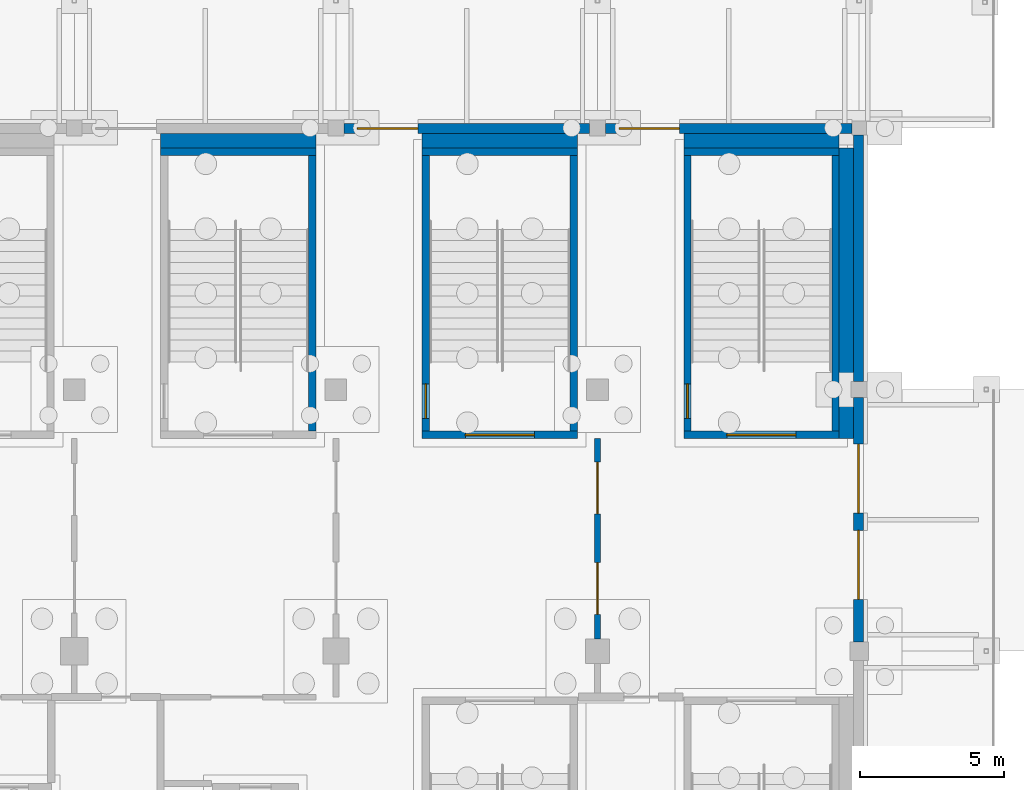
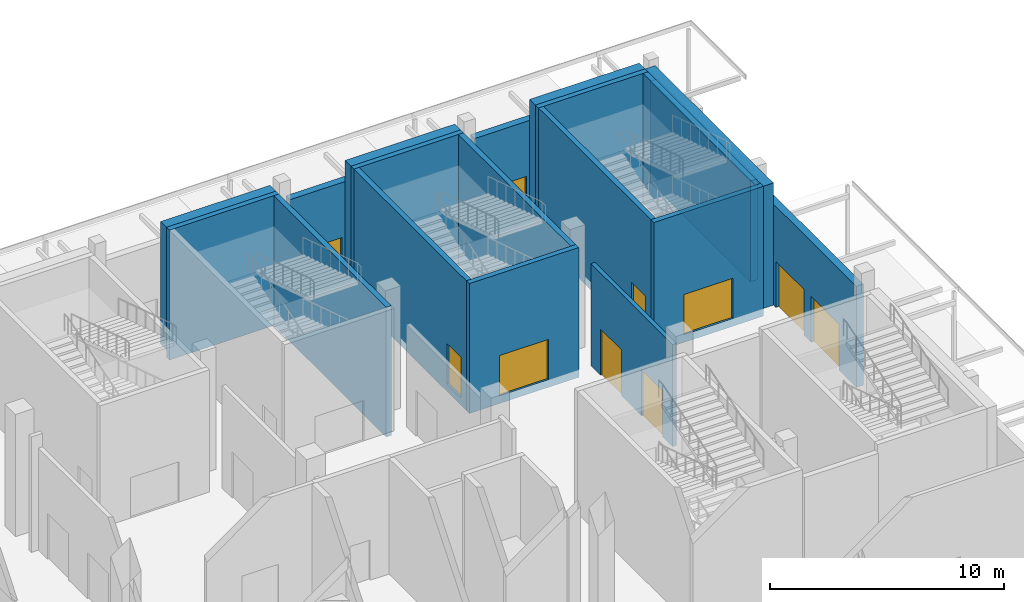
# One storey, part 87 of 129: 19 walls, 10 doors, 10 openings.
"""IFC4 building model written with IfcOpenShell, lengths in metres."""

from ifc_helpers import new_model, si_unit, direction, frame, frame_2d, origin, place, context, subcontext, project, spatial, rectangle, extrude, material, layer, layer_set, type_object, element, fill, save


model = new_model("IFC4")

# Units and contexts
model_context = context("Model", 3, precision=1e-05, world=origin(), true_north=direction((0.0, 1.0)))
body_context = subcontext(model_context, "Body", "Model", "MODEL_VIEW")
ifc_project = project(units=[si_unit("LENGTHUNIT", "METRE"), si_unit("AREAUNIT", "SQUARE_METRE"), si_unit("VOLUMEUNIT", "CUBIC_METRE"), si_unit("PLANEANGLEUNIT", "RADIAN"), si_unit("MASSUNIT", "GRAM", prefix="KILO")], contexts=[model_context])

# Site, building, storey
site_placement = place(None, origin())
site = spatial("IfcSite", under=ifc_project, at=site_placement, CompositionType="ELEMENT")
building_placement = place(site_placement, origin())
building = spatial("IfcBuilding", under=site, at=building_placement, Name="Shirokan Park Arena", CompositionType="ELEMENT")
storey_placement = place(building_placement, origin())
storey = spatial("IfcBuildingStorey", under=building, at=storey_placement, Name="L00", CompositionType="ELEMENT", Elevation=0.0)

# Wall, openings, doors
ifc_material_1 = material(Name="Gypsum board")
ifc_layer_1 = layer(ifc_material_1, 0.02490234375, Name="Gypsum board, two layers")
ifc_material_2 = material(Name="Mineral wool insulation")
ifc_layer_2 = layer(ifc_material_2, 0.14990234375, Name="Mineral wool insulation")
ifc_layer_3 = layer(ifc_material_1, 0.02490234375, Name="Gypsum board, two layers")
ifc_layer_set_1 = layer_set([ifc_layer_1, ifc_layer_2, ifc_layer_3], Name="Gypsum board, two layers + Mineral wool insulation")
wall_type_1 = type_object("IfcWallType", Name="Corridor wall 200", PredefinedType="PARTITIONING", material=ifc_layer_set_1)
wall_1_placement = place(storey_placement, frame((136.5, 91.425048828125, 0.0), z_axis=(0.0, 0.0, 1.0), x_axis=(0.0, 1.0, 0.0)))
wall_1 = element("IfcWall", 1, at=wall_1_placement, inside=storey, type_object=wall_type_1, Name="Corridor wall 200 L00", PredefinedType="PARTITIONING", context=body_context, shape_type="SweptSolid", body=[
    extrude(rectangle(XDim=6.974853515625, YDim=0.199951171875, at=frame_2d((3.4873046875, 0.0))), origin(), (0.0, 0.0, 1.0), 5.320068359375),
])
opening_1_placement = place(wall_1_placement, frame((0.85009765625, 0.0, 0.0)))
opening_1 = element("IfcOpeningElement", 2, at=opening_1_placement, cuts=wall_1, Name="Opening D-0073", PredefinedType="OPENING", context=body_context, shape_type="SweptSolid", body=[
    extrude(rectangle(XDim=1.800048828125, YDim=2.39990234375, at=frame_2d((0.89990234375, 1.199951171875))), frame((0.0, 0.10986328125, 0.0), z_axis=(0.0, -1.0, 0.0), x_axis=(1.0, 0.0, 0.0)), (0.0, 0.0, 1.0), 0.219970703125),
])
opening_2_placement = place(wall_1_placement, frame((4.35009765625, 0.0, 0.0)))
opening_2 = element("IfcOpeningElement", 3, at=opening_2_placement, cuts=wall_1, Name="Opening D-0074", PredefinedType="OPENING", context=body_context, shape_type="SweptSolid", body=[
    extrude(rectangle(XDim=1.800048828125, YDim=2.39990234375, at=frame_2d((0.89990234375, 1.199951171875))), frame((0.0, 0.10986328125, 0.0), z_axis=(0.0, -1.0, 0.0), x_axis=(1.0, 0.0, 0.0)), (0.0, 0.0, 1.0), 0.219970703125),
])
ifc_material_3 = material(Name="Glazed steel door set, fire resisting", Category="steel")
door_type_1 = type_object("IfcDoorType", Name="Lift lobby door 1800 x 2400", OperationType="DOUBLE_DOOR_SINGLE_SWING", PredefinedType="DOOR", material=ifc_material_3)
door_1_placement = place(opening_1_placement, origin())
door_1 = element("IfcDoor", 4, at=door_1_placement, inside=storey, type_object=door_type_1, Name="Door between Staff Lobby 3.0.1 and Equipment Lobby 3.0.2 D-0073", OperationType="DOUBLE_DOOR_SINGLE_SWING", OverallHeight=2.39990234375, OverallWidth=1.800048828125, PredefinedType="DOOR", context=body_context, shape_type="SweptSolid", body=[
    extrude(rectangle(XDim=1.800048828125, YDim=2.39990234375, at=frame_2d((0.89990234375, 1.199951171875))), frame((0.0, 0.02490234375, 0.0), z_axis=(0.0, -1.0, 0.0), x_axis=(1.0, 0.0, 0.0)), (0.0, 0.0, 1.0), 0.050048828125),
])
fill(opening_1, door_1)
door_2_placement = place(opening_2_placement, origin())
door_2 = element("IfcDoor", 5, at=door_2_placement, inside=storey, type_object=door_type_1, Name="Door between Staff Lobby 3.0.1 and Equipment Lobby 3.0.2 D-0074", OperationType="DOUBLE_DOOR_SINGLE_SWING", OverallHeight=2.39990234375, OverallWidth=1.800048828125, PredefinedType="DOOR", context=body_context, shape_type="SweptSolid", body=[
    extrude(rectangle(XDim=1.800048828125, YDim=2.39990234375, at=frame_2d((0.89990234375, 1.199951171875))), frame((0.0, 0.02490234375, 0.0), z_axis=(0.0, -1.0, 0.0), x_axis=(1.0, 0.0, 0.0)), (0.0, 0.0, 1.0), 0.050048828125),
])
fill(opening_2, door_2)

ifc_material_4 = material(Name="Cedar cladding")
ifc_layer_4 = layer(ifc_material_4, 0.030029296875, Name="Cedar cladding")
ifc_layer_5 = layer(ifc_material_2, 0.10009765625, Name="Mineral wool insulation")
ifc_material_5 = material(Name="Concrete C35", Category="concrete")
ifc_layer_6 = layer(ifc_material_5, 0.199951171875, Name="Concrete C35")
ifc_material_6 = material(Name="Gypsum board lining")
ifc_layer_7 = layer(ifc_material_6, 0.02001953125, Name="Gypsum board lining")
ifc_layer_set_2 = layer_set([ifc_layer_4, ifc_layer_5, ifc_layer_6, ifc_layer_7], Name="Cedar cladding + Mineral wool insulation + Concrete C35 + Gypsum board lining")
wall_type_2 = type_object("IfcWallType", Name="Insulated tower wall 350", PredefinedType="SOLIDWALL", material=ifc_layer_set_2)
wall_2_placement = place(storey_placement, frame((145.574951171875, 91.324951171875, 0.0), z_axis=(0.0, 0.0, 1.0), x_axis=(0.0, 1.0, 0.0)))
wall_2 = element("IfcWall", 6, at=wall_2_placement, inside=storey, type_object=wall_type_2, Name="East facade wall bay 11 L00", PredefinedType="SOLIDWALL", context=body_context, shape_type="SweptSolid", body=[
    extrude(rectangle(XDim=8.5, YDim=0.35009765625, at=frame_2d((4.25, 0.0))), origin(), (0.0, 0.0, 1.0), 5.27001953125),
])
opening_3_placement = place(wall_2_placement, frame((4.47509765625, 0.0, 0.0)))
opening_3 = element("IfcOpeningElement", 7, at=opening_3_placement, cuts=wall_2, Name="Opening G25", PredefinedType="OPENING", context=body_context, shape_type="SweptSolid", body=[
    extrude(rectangle(XDim=2.39990234375, YDim=2.39990234375, at=frame_2d((1.199951171875, 1.199951171875))), frame((0.0, 0.18505859375, 0.0), z_axis=(0.0, -1.0, 0.0), x_axis=(1.0, 0.0, 0.0)), (0.0, 0.0, 1.0), 0.3701171875),
])
opening_4_placement = place(wall_2_placement, frame((1.47509765625, 0.0, 0.0)))
opening_4 = element("IfcOpeningElement", 8, at=opening_4_placement, cuts=wall_2, Name="Opening G26", PredefinedType="OPENING", context=body_context, shape_type="SweptSolid", body=[
    extrude(rectangle(XDim=2.39990234375, YDim=2.39990234375, at=frame_2d((1.199951171875, 1.199951171875))), frame((0.0, 0.18505859375, 0.0), z_axis=(0.0, -1.0, 0.0), x_axis=(1.0, 0.0, 0.0)), (0.0, 0.0, 1.0), 0.3701171875),
])
ifc_material_7 = material(Name="Steel and glass door", Category="steel")
door_type_2 = type_object("IfcDoorType", Name="Exit door pair 2400x2400", OperationType="DOUBLE_DOOR_SINGLE_SWING", PredefinedType="DOOR", material=ifc_material_7)
door_3_placement = place(opening_3_placement, frame((2.39990234375, 0.0, 0.0), z_axis=(0.0, 0.0, 1.0), x_axis=(-1.0, 0.0, 0.0)))
door_3 = element("IfcDoor", 9, at=door_3_placement, inside=storey, type_object=door_type_2, Name="Pedestrian exit gate G25", OperationType="DOUBLE_DOOR_SINGLE_SWING", OverallHeight=2.39990234375, OverallWidth=2.39990234375, PredefinedType="DOOR", context=body_context, shape_type="SweptSolid", body=[
    extrude(rectangle(XDim=2.39990234375, YDim=2.39990234375, at=frame_2d((1.199951171875, 1.199951171875))), frame((0.0, 0.02490234375, 0.0), z_axis=(0.0, -1.0, 0.0), x_axis=(1.0, 0.0, 0.0)), (0.0, 0.0, 1.0), 0.050048828125),
])
fill(opening_3, door_3)
door_4_placement = place(opening_4_placement, frame((2.39990234375, 0.0, 0.0), z_axis=(0.0, 0.0, 1.0), x_axis=(-1.0, 0.0, 0.0)))
door_4 = element("IfcDoor", 10, at=door_4_placement, inside=storey, type_object=door_type_2, Name="Pedestrian exit gate G26", OperationType="DOUBLE_DOOR_SINGLE_SWING", OverallHeight=2.39990234375, OverallWidth=2.39990234375, PredefinedType="DOOR", context=body_context, shape_type="SweptSolid", body=[
    extrude(rectangle(XDim=2.39990234375, YDim=2.39990234375, at=frame_2d((1.199951171875, 1.199951171875))), frame((0.0, 0.02490234375, 0.0), z_axis=(0.0, -1.0, 0.0), x_axis=(1.0, 0.0, 0.0)), (0.0, 0.0, 1.0), 0.050048828125),
])
fill(opening_4, door_4)

# Wall
wall_3_placement = place(storey_placement, frame((145.574951171875, 100.375, 0.0), z_axis=(0.0, 0.0, 1.0), x_axis=(0.0, 1.0, 0.0)))
element("IfcWall", 11, at=wall_3_placement, inside=storey, type_object=wall_type_2, Name="East facade wall bay 12 L00", PredefinedType="SOLIDWALL", context=body_context, shape_type="SweptSolid", body=[
    extrude(rectangle(XDim=8.574951171875, YDim=0.35009765625, at=frame_2d((4.28759765625, 0.0))), origin(), (0.0, 0.0, 1.0), 5.27001953125),
])

# Wall, opening, door
wall_4_placement = place(storey_placement, frame((145.35009765625, 109.175048828125, 0.0), z_axis=(0.0, 0.0, 1.0), x_axis=(-1.0, 0.0, 0.0)))
wall_4 = element("IfcWall", 12, at=wall_4_placement, inside=storey, type_object=wall_type_2, Name="North facade wall bay 1 L00", PredefinedType="SOLIDWALL", context=body_context, shape_type="SweptSolid", body=[
    extrude(rectangle(XDim=8.5751953125, YDim=0.35009765625, at=frame_2d((4.28759765625, 0.0))), origin(), (0.0, 0.0, 1.0), 5.27001953125),
])
opening_5_placement = place(wall_4_placement, frame((6.0, 0.0, 0.0)))
opening_5 = element("IfcOpeningElement", 13, at=opening_5_placement, cuts=wall_4, Name="Opening G20", PredefinedType="OPENING", context=body_context, shape_type="SweptSolid", body=[
    extrude(rectangle(XDim=2.10009765625, YDim=2.39990234375, at=frame_2d((1.050048828125, 1.199951171875))), frame((0.0, 0.18505859375, 0.0), z_axis=(0.0, -1.0, 0.0), x_axis=(1.0, 0.0, 0.0)), (0.0, 0.0, 1.0), 0.3701171875),
])
door_type_3 = type_object("IfcDoorType", Name="Exit door pair 2100x2400", OperationType="DOUBLE_DOOR_SINGLE_SWING", PredefinedType="DOOR", material=ifc_material_7)
door_5_placement = place(opening_5_placement, frame((2.10009765625, 0.0, 0.0), z_axis=(0.0, 0.0, 1.0), x_axis=(-1.0, 0.0, 0.0)))
door_5 = element("IfcDoor", 14, at=door_5_placement, inside=storey, type_object=door_type_3, Name="Pedestrian exit gate G20", OperationType="DOUBLE_DOOR_SINGLE_SWING", OverallHeight=2.39990234375, OverallWidth=2.10009765625, PredefinedType="DOOR", context=body_context, shape_type="SweptSolid", body=[
    extrude(rectangle(XDim=2.10009765625, YDim=2.39990234375, at=frame_2d((1.050048828125, 1.199951171875))), frame((0.0, 0.02490234375, 0.0), z_axis=(0.0, -1.0, 0.0), x_axis=(1.0, 0.0, 0.0)), (0.0, 0.0, 1.0), 0.050048828125),
])
fill(opening_5, door_5)

wall_5_placement = place(storey_placement, frame((136.22509765625, 109.175048828125, 0.0), z_axis=(0.0, 0.0, 1.0), x_axis=(-1.0, 0.0, 0.0)))
wall_5 = element("IfcWall", 15, at=wall_5_placement, inside=storey, type_object=wall_type_2, Name="North facade wall bay 2 L00", PredefinedType="SOLIDWALL", context=body_context, shape_type="SweptSolid", body=[
    extrude(rectangle(XDim=8.550048828125, YDim=0.35009765625, at=frame_2d((4.27490234375, 0.0))), origin(), (0.0, 0.0, 1.0), 5.27001953125),
])
opening_6_placement = place(wall_5_placement, frame((5.97509765625, 0.0, 0.0)))
opening_6 = element("IfcOpeningElement", 16, at=opening_6_placement, cuts=wall_5, Name="Opening G21", PredefinedType="OPENING", context=body_context, shape_type="SweptSolid", body=[
    extrude(rectangle(XDim=2.10009765625, YDim=2.39990234375, at=frame_2d((1.050048828125, 1.199951171875))), frame((0.0, 0.18505859375, 0.0), z_axis=(0.0, -1.0, 0.0), x_axis=(1.0, 0.0, 0.0)), (0.0, 0.0, 1.0), 0.3701171875),
])
door_6_placement = place(opening_6_placement, frame((2.10009765625, 0.0, 0.0), z_axis=(0.0, 0.0, 1.0), x_axis=(-1.0, 0.0, 0.0)))
door_6 = element("IfcDoor", 17, at=door_6_placement, inside=storey, type_object=door_type_3, Name="Pedestrian exit gate G21", OperationType="DOUBLE_DOOR_SINGLE_SWING", OverallHeight=2.39990234375, OverallWidth=2.10009765625, PredefinedType="DOOR", context=body_context, shape_type="SweptSolid", body=[
    extrude(rectangle(XDim=2.10009765625, YDim=2.39990234375, at=frame_2d((1.050048828125, 1.199951171875))), frame((0.0, 0.02490234375, 0.0), z_axis=(0.0, -1.0, 0.0), x_axis=(1.0, 0.0, 0.0)), (0.0, 0.0, 1.0), 0.050048828125),
])
fill(opening_6, door_6)

ifc_material_8 = material(Name="Concrete C40/50", Category="concrete")
ifc_layer_8 = layer(ifc_material_8, 0.25)
ifc_layer_set_3 = layer_set([ifc_layer_8], Name="Concrete C40/50 250 mm")
wall_type_3 = type_object("IfcWallType", Name="RC shear wall 250", PredefinedType="SHEAR", material=ifc_layer_set_3)
wall_6_placement = place(storey_placement, frame((144.89990234375, 98.52490234375, -0.39990234375), z_axis=(0.0, 0.0, 1.0), x_axis=(-1.0, 0.0, 0.0)))
wall_6 = element("IfcWall", 18, at=wall_6_placement, inside=storey, type_object=wall_type_3, Name="Shaft wall Exit Stair 3.A S L00", PredefinedType="SHEAR", context=body_context, shape_type="SweptSolid", body=[
    extrude(rectangle(XDim=5.39990234375, YDim=0.25, at=frame_2d((2.699951171875, 0.0))), origin(), (0.0, 0.0, 1.0), 6.77001953125),
])
opening_7_placement = place(wall_6_placement, frame((1.5, 0.0, 0.39990234375)))
opening_7 = element("IfcOpeningElement", 19, at=opening_7_placement, cuts=wall_6, Name="Opening D-0188", PredefinedType="OPENING", context=body_context, shape_type="SweptSolid", body=[
    extrude(rectangle(XDim=2.39990234375, YDim=2.10009765625, at=frame_2d((1.199951171875, 1.050048828125))), frame((0.0, 0.135009765625, 0.0), z_axis=(0.0, -1.0, 0.0), x_axis=(1.0, 0.0, 0.0)), (0.0, 0.0, 1.0), 0.27001953125),
])
ifc_material_9 = material(Name="Steel door set, fire resisting", Category="steel")
door_type_4 = type_object("IfcDoorType", Name="Stair door 2400 x 2100", OperationType="DOUBLE_DOOR_SINGLE_SWING", PredefinedType="DOOR", material=ifc_material_9)
door_7_placement = place(opening_7_placement, origin())
door_7 = element("IfcDoor", 20, at=door_7_placement, inside=storey, type_object=door_type_4, Name="Stair door Exit Stair 3.A D-0188", OperationType="DOUBLE_DOOR_SINGLE_SWING", OverallHeight=2.10009765625, OverallWidth=2.39990234375, PredefinedType="DOOR", context=body_context, shape_type="SweptSolid", body=[
    extrude(rectangle(XDim=2.39990234375, YDim=2.10009765625, at=frame_2d((1.199951171875, 1.050048828125))), frame((0.0, 0.02490234375, 0.0), z_axis=(0.0, -1.0, 0.0), x_axis=(1.0, 0.0, 0.0)), (0.0, 0.0, 1.0), 0.050048828125),
])
fill(opening_7, door_7)

# Wall
wall_7_placement = place(storey_placement, frame((144.89990234375, 108.375, -0.39990234375), z_axis=(0.0, 0.0, 1.0), x_axis=(-1.0, 0.0, 0.0)))
element("IfcWall", 21, at=wall_7_placement, inside=storey, type_object=wall_type_3, Name="Shaft wall Exit Stair 3.A N L00", PredefinedType="SHEAR", context=body_context, shape_type="SweptSolid", body=[
    extrude(rectangle(XDim=5.39990234375, YDim=0.25, at=frame_2d((2.699951171875, 0.0))), origin(), (0.0, 0.0, 1.0), 6.77001953125),
])

# Wall, opening, door
wall_8_placement = place(storey_placement, frame((139.625, 108.25, -0.39990234375), z_axis=(0.0, 0.0, 1.0), x_axis=(0.0, -1.0, 0.0)))
wall_8 = element("IfcWall", 22, at=wall_8_placement, inside=storey, type_object=wall_type_3, Name="Shaft wall Exit Stair 3.A W L00", PredefinedType="SHEAR", context=body_context, shape_type="SweptSolid", body=[
    extrude(rectangle(XDim=9.60009765625, YDim=0.25, at=frame_2d((4.800048828125, 0.0))), origin(), (0.0, 0.0, 1.0), 6.77001953125),
])
opening_8_placement = place(wall_8_placement, frame((7.949951171875, 0.0, 0.39990234375)))
opening_8 = element("IfcOpeningElement", 23, at=opening_8_placement, cuts=wall_8, Name="Opening D-0209", PredefinedType="OPENING", context=body_context, shape_type="SweptSolid", body=[
    extrude(rectangle(XDim=1.199951171875, YDim=2.10009765625, at=frame_2d((0.60009765625, 1.050048828125))), frame((0.0, 0.135009765625, 0.0), z_axis=(0.0, -1.0, 0.0), x_axis=(1.0, 0.0, 0.0)), (0.0, 0.0, 1.0), 0.27001953125),
])
door_type_5 = type_object("IfcDoorType", Name="Stair exit door 1200 x 2100", OperationType="SINGLE_SWING_LEFT", PredefinedType="DOOR", material=ifc_material_9)
door_8_placement = place(opening_8_placement, origin())
door_8 = element("IfcDoor", 24, at=door_8_placement, inside=storey, type_object=door_type_5, Name="Stair exit door Exit Stair 3.A D-0209", OperationType="SINGLE_SWING_RIGHT", OverallHeight=2.10009765625, OverallWidth=1.199951171875, PredefinedType="DOOR", context=body_context, shape_type="SweptSolid", body=[
    extrude(rectangle(XDim=1.199951171875, YDim=2.10009765625, at=frame_2d((0.60009765625, 1.050048828125))), frame((0.0, 0.02490234375, 0.0), z_axis=(0.0, -1.0, 0.0), x_axis=(1.0, 0.0, 0.0)), (0.0, 0.0, 1.0), 0.050048828125),
])
fill(opening_8, door_8)

# Wall
wall_9_placement = place(storey_placement, frame((144.77490234375, 108.25, -0.39990234375), z_axis=(0.0, 0.0, 1.0), x_axis=(0.0, -1.0, 0.0)))
element("IfcWall", 25, at=wall_9_placement, inside=storey, type_object=wall_type_3, Name="Shaft wall Exit Stair 3.A E L00", PredefinedType="SHEAR", context=body_context, shape_type="SweptSolid", body=[
    extrude(rectangle(XDim=9.60009765625, YDim=0.25, at=frame_2d((4.800048828125, 0.0))), origin(), (0.0, 0.0, 1.0), 6.77001953125),
])

# Wall, opening, door
wall_10_placement = place(storey_placement, frame((135.800048828125, 98.52490234375, -0.39990234375), z_axis=(0.0, 0.0, 1.0), x_axis=(-1.0, 0.0, 0.0)))
wall_10 = element("IfcWall", 26, at=wall_10_placement, inside=storey, type_object=wall_type_3, Name="Shaft wall Exit Stair 3.B S L00", PredefinedType="SHEAR", context=body_context, shape_type="SweptSolid", body=[
    extrude(rectangle(XDim=5.400146484375, YDim=0.25, at=frame_2d((2.7001953125, 0.0))), origin(), (0.0, 0.0, 1.0), 6.77001953125),
])
opening_9_placement = place(wall_10_placement, frame((1.5, 0.0, 0.39990234375)))
opening_9 = element("IfcOpeningElement", 27, at=opening_9_placement, cuts=wall_10, Name="Opening D-0189", PredefinedType="OPENING", context=body_context, shape_type="SweptSolid", body=[
    extrude(rectangle(XDim=2.39990234375, YDim=2.10009765625, at=frame_2d((1.199951171875, 1.050048828125))), frame((0.0, 0.135009765625, 0.0), z_axis=(0.0, -1.0, 0.0), x_axis=(1.0, 0.0, 0.0)), (0.0, 0.0, 1.0), 0.27001953125),
])
door_9_placement = place(opening_9_placement, origin())
door_9 = element("IfcDoor", 28, at=door_9_placement, inside=storey, type_object=door_type_4, Name="Stair door Exit Stair 3.B D-0189", OperationType="DOUBLE_DOOR_SINGLE_SWING", OverallHeight=2.10009765625, OverallWidth=2.39990234375, PredefinedType="DOOR", context=body_context, shape_type="SweptSolid", body=[
    extrude(rectangle(XDim=2.39990234375, YDim=2.10009765625, at=frame_2d((1.199951171875, 1.050048828125))), frame((0.0, 0.02490234375, 0.0), z_axis=(0.0, -1.0, 0.0), x_axis=(1.0, 0.0, 0.0)), (0.0, 0.0, 1.0), 0.050048828125),
])
fill(opening_9, door_9)

# Wall
wall_11_placement = place(storey_placement, frame((135.800048828125, 108.375, -0.39990234375), z_axis=(0.0, 0.0, 1.0), x_axis=(-1.0, 0.0, 0.0)))
element("IfcWall", 29, at=wall_11_placement, inside=storey, type_object=wall_type_3, Name="Shaft wall Exit Stair 3.B N L00", PredefinedType="SHEAR", context=body_context, shape_type="SweptSolid", body=[
    extrude(rectangle(XDim=5.400146484375, YDim=0.25, at=frame_2d((2.7001953125, 0.0))), origin(), (0.0, 0.0, 1.0), 6.77001953125),
])

# Wall, opening, door
wall_12_placement = place(storey_placement, frame((130.52490234375, 108.25, -0.39990234375), z_axis=(0.0, 0.0, 1.0), x_axis=(0.0, -1.0, 0.0)))
wall_12 = element("IfcWall", 30, at=wall_12_placement, inside=storey, type_object=wall_type_3, Name="Shaft wall Exit Stair 3.B W L00", PredefinedType="SHEAR", context=body_context, shape_type="SweptSolid", body=[
    extrude(rectangle(XDim=9.60009765625, YDim=0.25, at=frame_2d((4.800048828125, 0.0))), origin(), (0.0, 0.0, 1.0), 6.77001953125),
])
opening_10_placement = place(wall_12_placement, frame((7.949951171875, 0.0, 0.39990234375)))
opening_10 = element("IfcOpeningElement", 31, at=opening_10_placement, cuts=wall_12, Name="Opening D-0210", PredefinedType="OPENING", context=body_context, shape_type="SweptSolid", body=[
    extrude(rectangle(XDim=1.199951171875, YDim=2.10009765625, at=frame_2d((0.60009765625, 1.050048828125))), frame((0.0, 0.135009765625, 0.0), z_axis=(0.0, -1.0, 0.0), x_axis=(1.0, 0.0, 0.0)), (0.0, 0.0, 1.0), 0.27001953125),
])
door_10_placement = place(opening_10_placement, origin())
door_10 = element("IfcDoor", 32, at=door_10_placement, inside=storey, type_object=door_type_5, Name="Stair exit door Exit Stair 3.B D-0210", OperationType="SINGLE_SWING_RIGHT", OverallHeight=2.10009765625, OverallWidth=1.199951171875, PredefinedType="DOOR", context=body_context, shape_type="SweptSolid", body=[
    extrude(rectangle(XDim=1.199951171875, YDim=2.10009765625, at=frame_2d((0.60009765625, 1.050048828125))), frame((0.0, 0.02490234375, 0.0), z_axis=(0.0, -1.0, 0.0), x_axis=(1.0, 0.0, 0.0)), (0.0, 0.0, 1.0), 0.050048828125),
])
fill(opening_10, door_10)

# Walls
wall_13_placement = place(storey_placement, frame((135.675048828125, 108.25, -0.39990234375), z_axis=(0.0, 0.0, 1.0), x_axis=(0.0, -1.0, 0.0)))
element("IfcWall", 33, at=wall_13_placement, inside=storey, type_object=wall_type_3, Name="Shaft wall Exit Stair 3.B E L00", PredefinedType="SHEAR", context=body_context, shape_type="SweptSolid", body=[
    extrude(rectangle(XDim=9.60009765625, YDim=0.25, at=frame_2d((4.800048828125, 0.0))), origin(), (0.0, 0.0, 1.0), 6.77001953125),
])
wall_14_placement = place(storey_placement, frame((126.699951171875, 108.375, -0.39990234375), z_axis=(0.0, 0.0, 1.0), x_axis=(-1.0, 0.0, 0.0)))
element("IfcWall", 34, at=wall_14_placement, inside=storey, type_object=wall_type_3, Name="Shaft wall Exit Stair 3.C N L00", PredefinedType="SHEAR", context=body_context, shape_type="SweptSolid", body=[
    extrude(rectangle(XDim=5.39990234375, YDim=0.25, at=frame_2d((2.699951171875, 0.0))), origin(), (0.0, 0.0, 1.0), 6.77001953125),
])
wall_15_placement = place(storey_placement, frame((126.574951171875, 108.25, -0.39990234375), z_axis=(0.0, 0.0, 1.0), x_axis=(0.0, -1.0, 0.0)))
element("IfcWall", 35, at=wall_15_placement, inside=storey, type_object=wall_type_3, Name="Shaft wall Exit Stair 3.C E L00", PredefinedType="SHEAR", context=body_context, shape_type="SweptSolid", body=[
    extrude(rectangle(XDim=9.60009765625, YDim=0.25, at=frame_2d((4.800048828125, 0.0))), origin(), (0.0, 0.0, 1.0), 6.77001953125),
])
ifc_layer_9 = layer(ifc_material_5, 0.5)
ifc_layer_set_4 = layer_set([ifc_layer_9], Name="Concrete C35 500 mm")
wall_type_4 = type_object("IfcWallType", Name="Shaft infill wall 500", PredefinedType="SOLIDWALL", material=ifc_layer_set_4)
wall_16_placement = place(storey_placement, frame((139.5, 108.75, 0.0), z_axis=(0.0, 0.0, 1.0), x_axis=(1.0, 0.0, 0.0)))
element("IfcWall", 36, at=wall_16_placement, inside=storey, type_object=wall_type_4, Name="Shaft infill wall L00", PredefinedType="SOLIDWALL", context=body_context, shape_type="SweptSolid", body=[
    extrude(rectangle(XDim=5.39990234375, YDim=0.5, at=frame_2d((2.699951171875, 0.0))), origin(), (0.0, 0.0, 1.0), 6.3701171875),
])
wall_17_placement = place(storey_placement, frame((145.14990234375, 98.39990234375, 0.0), z_axis=(0.0, 0.0, 1.0), x_axis=(0.0, 1.0, 0.0)))
element("IfcWall", 37, at=wall_17_placement, inside=storey, type_object=wall_type_4, Name="Shaft infill wall L00", PredefinedType="SOLIDWALL", context=body_context, shape_type="SweptSolid", body=[
    extrude(rectangle(XDim=10.10009765625, YDim=0.5, at=frame_2d((5.050048828125, 0.0))), origin(), (0.0, 0.0, 1.0), 6.3701171875),
])
wall_18_placement = place(storey_placement, frame((130.39990234375, 108.75, 0.0), z_axis=(0.0, 0.0, 1.0), x_axis=(1.0, 0.0, 0.0)))
element("IfcWall", 38, at=wall_18_placement, inside=storey, type_object=wall_type_4, Name="Shaft infill wall L00", PredefinedType="SOLIDWALL", context=body_context, shape_type="SweptSolid", body=[
    extrude(rectangle(XDim=5.400146484375, YDim=0.5, at=frame_2d((2.7001953125, 0.0))), origin(), (0.0, 0.0, 1.0), 6.3701171875),
])
wall_19_placement = place(storey_placement, frame((121.300048828125, 108.75, 0.0), z_axis=(0.0, 0.0, 1.0), x_axis=(1.0, 0.0, 0.0)))
element("IfcWall", 39, at=wall_19_placement, inside=storey, type_object=wall_type_4, Name="Shaft infill wall L00", PredefinedType="SOLIDWALL", context=body_context, shape_type="SweptSolid", body=[
    extrude(rectangle(XDim=5.39990234375, YDim=0.5, at=frame_2d((2.699951171875, 0.0))), origin(), (0.0, 0.0, 1.0), 6.3701171875),
])

save(model, "model.ifc")
